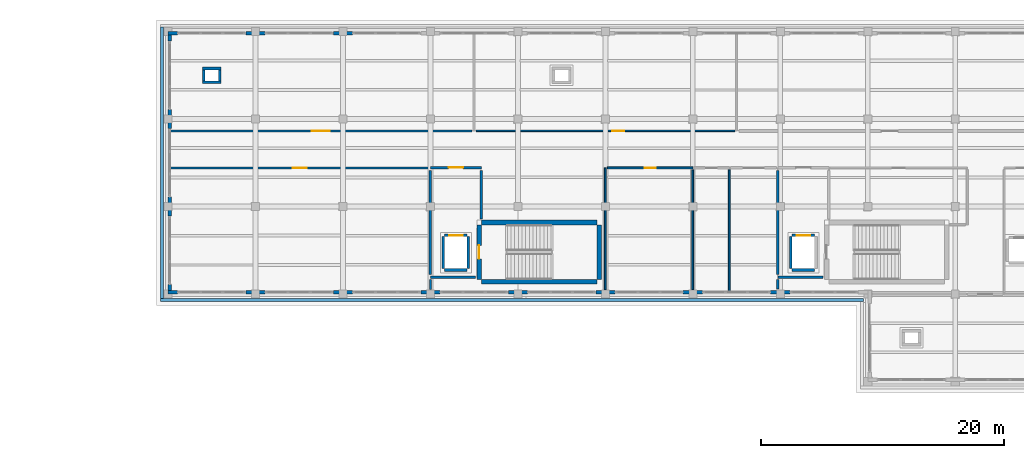
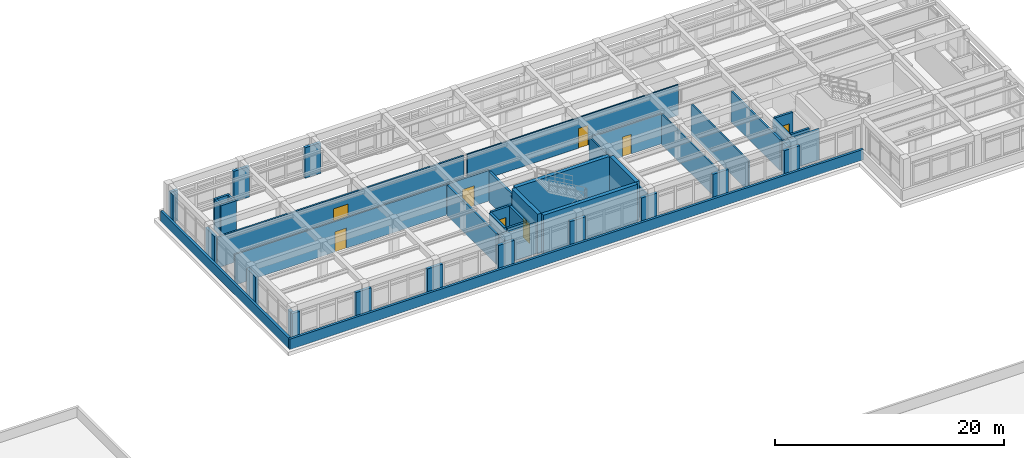
# One storey, part 47 of 55: 47 walls, 8 doors, 8 openings.
"""IFC4 building model written with IfcOpenShell, lengths in metres."""

from ifc_helpers import new_model, si_unit, direction, frame, frame_2d, origin, place, context, subcontext, project, spatial, rectangle, extrude, material, layer, layer_set, type_object, element, fill, save


model = new_model("IFC4")

# Units and contexts
model_context = context("Model", 3, precision=1e-05, world=origin(), true_north=direction((0.0, 1.0)))
body_context = subcontext(model_context, "Body", "Model", "MODEL_VIEW")
ifc_project = project(units=[si_unit("LENGTHUNIT", "METRE"), si_unit("AREAUNIT", "SQUARE_METRE"), si_unit("VOLUMEUNIT", "CUBIC_METRE"), si_unit("PLANEANGLEUNIT", "RADIAN"), si_unit("MASSUNIT", "GRAM", prefix="KILO")], contexts=[model_context])

# Site, building, storey
site_placement = place(None, origin())
site = spatial("IfcSite", under=ifc_project, at=site_placement, CompositionType="ELEMENT")
building_placement = place(site_placement, origin())
building = spatial("IfcBuilding", under=site, at=building_placement, Name="Solenvale Faculty of Natural Sciences", CompositionType="ELEMENT")
storey_placement = place(building_placement, frame((0.0, 0.0, 22.5)))
storey = spatial("IfcBuildingStorey", under=building, at=storey_placement, Name="L05", CompositionType="ELEMENT", Elevation=22.5)

# Walls
ifc_material_1 = material(Name="Precast concrete 40 MPa", Category="concrete")
ifc_layer_1 = layer(ifc_material_1, 0.284912109375)
ifc_layer_set_1 = layer_set([ifc_layer_1], Name="Precast concrete 40 MPa")
wall_type_1 = type_object("IfcWallType", Name="WL-EXT-PRC-285", PredefinedType="STANDARD", material=ifc_layer_set_1)
for number, where, z_axis, x_axis, name in (
    (1, (94.387939453125, 115.0576171875, 0.0), (0.0, 0.0, 1.0), (-1.0, 0.0, 0.0), "L05 Facade Closure Pier 3.B8-R"),
    (2, (87.18798828125, 115.0576171875, 0.0), (0.0, 0.0, 1.0), (-1.0, 0.0, 0.0), "L05 Facade Closure Pier 3.B9-R"),
):
    element("IfcWall", number, at=place(storey_placement, frame(where, z_axis=z_axis, x_axis=x_axis)), inside=storey, type_object=wall_type_1, Name=name, PredefinedType="STANDARD", context=body_context, shape_type="SweptSolid", body=[
        extrude(rectangle(XDim=1.575927734375, YDim=0.284912109375, at=frame_2d((0.7880859375, 0.0))), origin(), (0.0, 0.0, 1.0), 3.260009765625),
    ])
wall_1_placement = place(storey_placement, frame((79.988037109375, 115.0576171875, 0.0), z_axis=(0.0, 0.0, 1.0), x_axis=(-1.0, 0.0, 0.0)))
element("IfcWall", 3, at=wall_1_placement, inside=storey, type_object=wall_type_1, Name="L05 Facade Closure Pier 3.B10-R", PredefinedType="STANDARD", context=body_context, shape_type="SweptSolid", body=[
    extrude(rectangle(XDim=0.7880859375, YDim=0.284912109375, at=frame_2d((0.39404296875, 0.0))), origin(), (0.0, 0.0, 1.0), 3.260009765625),
])
wall_2_placement = place(storey_placement, frame((79.342529296875, 114.9150390625, 0.0), z_axis=(0.0, 0.0, 1.0), x_axis=(0.0, -1.0, 0.0)))
element("IfcWall", 4, at=wall_2_placement, inside=storey, type_object=wall_type_1, Name="L05 Facade Closure Pier 4.B1-L", PredefinedType="STANDARD", context=body_context, shape_type="SweptSolid", body=[
    extrude(rectangle(XDim=0.5029296875, YDim=0.284912109375, at=frame_2d((0.25146484375, 0.0))), origin(), (0.0, 0.0, 1.0), 3.260009765625),
])
wall_3_placement = place(storey_placement, frame((79.342529296875, 108.7880859375, 0.0), z_axis=(0.0, 0.0, 1.0), x_axis=(0.0, -1.0, 0.0)))
element("IfcWall", 5, at=wall_3_placement, inside=storey, type_object=wall_type_1, Name="L05 Facade Closure Pier 4.B1-R", PredefinedType="STANDARD", context=body_context, shape_type="SweptSolid", body=[
    extrude(rectangle(XDim=1.576171875, YDim=0.284912109375, at=frame_2d((0.7880859375, 0.0))), origin(), (0.0, 0.0, 1.0), 3.260009765625),
])
wall_4_placement = place(storey_placement, frame((79.342529296875, 101.587890625, 0.0), z_axis=(0.0, 0.0, 1.0), x_axis=(0.0, -1.0, 0.0)))
element("IfcWall", 6, at=wall_4_placement, inside=storey, type_object=wall_type_1, Name="L05 Facade Closure Pier 4.B2-R", PredefinedType="STANDARD", context=body_context, shape_type="SweptSolid", body=[
    extrude(rectangle(XDim=1.575927734375, YDim=0.284912109375, at=frame_2d((0.7880859375, 0.0))), origin(), (0.0, 0.0, 1.0), 3.260009765625),
])
wall_5_placement = place(storey_placement, frame((79.342529296875, 94.387939453125, 0.0), z_axis=(0.0, 0.0, 1.0), x_axis=(0.0, -1.0, 0.0)))
element("IfcWall", 7, at=wall_5_placement, inside=storey, type_object=wall_type_1, Name="L05 Facade Closure Pier 4.B3-R", PredefinedType="STANDARD", context=body_context, shape_type="SweptSolid", body=[
    extrude(rectangle(XDim=0.5029296875, YDim=0.284912109375, at=frame_2d((0.25146484375, 0.0))), origin(), (0.0, 0.0, 1.0), 3.260009765625),
])
wall_6_placement = place(storey_placement, frame((79.199951171875, 93.742431640625, 0.0), z_axis=(0.0, 0.0, 1.0), x_axis=(1.0, 0.0, 0.0)))
element("IfcWall", 8, at=wall_6_placement, inside=storey, type_object=wall_type_1, Name="L05 Facade Closure Pier 5.B1-L", PredefinedType="STANDARD", context=body_context, shape_type="SweptSolid", body=[
    extrude(rectangle(XDim=0.7880859375, YDim=0.284912109375, at=frame_2d((0.39404296875, 0.0))), origin(), (0.0, 0.0, 1.0), 3.260009765625),
])
for number, where, z_axis, x_axis, name in (
    (9, (85.612060546875, 93.742431640625, 0.0), (0.0, 0.0, 1.0), (1.0, 0.0, 0.0), "L05 Facade Closure Pier 5.B1-R"),
    (10, (92.81201171875, 93.742431640625, 0.0), (0.0, 0.0, 1.0), (1.0, 0.0, 0.0), "L05 Facade Closure Pier 5.B2-R"),
    (11, (100.011962890625, 93.742431640625, 0.0), (0.0, 0.0, 1.0), (1.0, 0.0, 0.0), "L05 Facade Closure Pier 5.B3-R"),
):
    element("IfcWall", number, at=place(storey_placement, frame(where, z_axis=z_axis, x_axis=x_axis)), inside=storey, type_object=wall_type_1, Name=name, PredefinedType="STANDARD", context=body_context, shape_type="SweptSolid", body=[
        extrude(rectangle(XDim=1.575927734375, YDim=0.284912109375, at=frame_2d((0.7880859375, 0.0))), origin(), (0.0, 0.0, 1.0), 3.260009765625),
    ])
wall_7_placement = place(storey_placement, frame((107.2119140625, 93.742431640625, 0.0), z_axis=(0.0, 0.0, 1.0), x_axis=(1.0, 0.0, 0.0)))
element("IfcWall", 12, at=wall_7_placement, inside=storey, type_object=wall_type_1, Name="L05 Facade Closure Pier 5.B4-R", PredefinedType="STANDARD", context=body_context, shape_type="SweptSolid", body=[
    extrude(rectangle(XDim=1.576171875, YDim=0.284912109375, at=frame_2d((0.7880859375, 0.0))), origin(), (0.0, 0.0, 1.0), 3.260009765625),
])
for number, where, z_axis, x_axis, name in (
    (13, (114.412109375, 93.742431640625, 0.0), (0.0, 0.0, 1.0), (1.0, 0.0, 0.0), "L05 Facade Closure Pier 5.B5-R"),
    (14, (121.612060546875, 93.742431640625, 0.0), (0.0, 0.0, 1.0), (1.0, 0.0, 0.0), "L05 Facade Closure Pier 5.B6-R"),
    (15, (128.81201171875, 93.742431640625, 0.0), (0.0, 0.0, 1.0), (1.0, 0.0, 0.0), "L05 Facade Closure Pier 5.B7-R"),
):
    element("IfcWall", number, at=place(storey_placement, frame(where, z_axis=z_axis, x_axis=x_axis)), inside=storey, type_object=wall_type_1, Name=name, PredefinedType="STANDARD", context=body_context, shape_type="SweptSolid", body=[
        extrude(rectangle(XDim=1.575927734375, YDim=0.284912109375, at=frame_2d((0.7880859375, 0.0))), origin(), (0.0, 0.0, 1.0), 3.260009765625),
    ])

# Wall, opening, door
ifc_material_2 = material(Name="Gypsum fire-rated shaftwall")
ifc_layer_2 = layer(ifc_material_2, 0.205078125)
ifc_layer_set_2 = layer_set([ifc_layer_2], Name="Gypsum fire-rated shaftwall")
wall_type_2 = type_object("IfcWallType", Name="WL-FFL-205", PredefinedType="PARTITIONING", material=ifc_layer_set_2)
wall_8_placement = place(storey_placement, frame((100.800048828125, 104.0, 0.0), z_axis=(0.0, 0.0, 1.0), x_axis=(1.0, 0.0, 0.0)))
wall_8 = element("IfcWall", 16, at=wall_8_placement, inside=storey, type_object=wall_type_2, Name="L05 Firefighting Lobby C4 Partition 1", PredefinedType="PARTITIONING", context=body_context, shape_type="SweptSolid", body=[
    extrude(rectangle(XDim=4.199951171875, YDim=0.205078125, at=frame_2d((2.10009765625, 0.0))), origin(), (0.0, 0.0, 1.0), 3.260009765625),
])
opening_1_placement = place(wall_8_placement, frame((1.5, 0.0, 0.0)))
opening_1 = element("IfcOpeningElement", 17, at=opening_1_placement, cuts=wall_8, Name="Opening D-L05-01", PredefinedType="OPENING", context=body_context, shape_type="SweptSolid", body=[
    extrude(rectangle(XDim=1.199951171875, YDim=2.14990234375, at=frame_2d((0.60009765625, 1.074951171875))), frame((0.0, 0.112548828125, 0.0), z_axis=(0.0, -1.0, 0.0), x_axis=(1.0, 0.0, 0.0)), (0.0, 0.0, 1.0), 0.22509765625),
])
ifc_material_3 = material(Name="Galvanised steel S355", Category="steel")
door_type_1 = type_object("IfcDoorType", Name="DR-FFL-1200x2150", OperationType="NOTDEFINED", PredefinedType="DOOR", material=ifc_material_3)
door_1_placement = place(opening_1_placement, origin())
door_1 = element("IfcDoor", 18, at=door_1_placement, inside=storey, type_object=door_type_1, Name="L05 Firefighting Lobby C4 Door", OperationType="SINGLE_SWING_LEFT", OverallHeight=2.14990234375, OverallWidth=1.199951171875, PredefinedType="DOOR", context=body_context, shape_type="SweptSolid", body=[
    extrude(rectangle(XDim=1.199951171875, YDim=2.14990234375, at=frame_2d((0.60009765625, 1.074951171875))), frame((0.0, 0.02490234375, 0.0), z_axis=(0.0, -1.0, 0.0), x_axis=(1.0, 0.0, 0.0)), (0.0, 0.0, 1.0), 0.050048828125),
])
fill(opening_1, door_1)

# Walls
wall_9_placement = place(storey_placement, frame((105.0, 103.782958984375, 0.0), z_axis=(0.0, 0.0, 1.0), x_axis=(0.0, -1.0, 0.0)))
element("IfcWall", 19, at=wall_9_placement, inside=storey, type_object=wall_type_2, Name="L05 Firefighting Lobby C4 Partition 2", PredefinedType="PARTITIONING", context=body_context, shape_type="SweptSolid", body=[
    extrude(rectangle(XDim=3.989013671875, YDim=0.205078125, at=frame_2d((1.99462890625, 0.0))), origin(), (0.0, 0.0, 1.0), 3.260009765625),
])
wall_10_placement = place(storey_placement, frame((104.5048828125, 95.0, 0.0), z_axis=(0.0, 0.0, 1.0), x_axis=(-1.0, 0.0, 0.0)))
element("IfcWall", 20, at=wall_10_placement, inside=storey, type_object=wall_type_2, Name="L05 Firefighting Lobby C4 Partition 20", PredefinedType="PARTITIONING", context=body_context, shape_type="SweptSolid", body=[
    extrude(rectangle(XDim=3.704833984375, YDim=0.205078125, at=frame_2d((1.8525390625, 0.0))), origin(), (0.0, 0.0, 1.0), 3.260009765625),
])
wall_11_placement = place(storey_placement, frame((100.800048828125, 95.217041015625, 0.0), z_axis=(0.0, 0.0, 1.0), x_axis=(0.0, 1.0, 0.0)))
element("IfcWall", 21, at=wall_11_placement, inside=storey, type_object=wall_type_2, Name="L05 Firefighting Lobby C4 Partition 21", PredefinedType="PARTITIONING", context=body_context, shape_type="SweptSolid", body=[
    extrude(rectangle(XDim=8.56591796875, YDim=0.205078125, at=frame_2d((4.282958984375, 0.0))), origin(), (0.0, 0.0, 1.0), 3.260009765625),
])
wall_12_placement = place(storey_placement, frame((133.10595703125, 95.0, 0.0), z_axis=(0.0, 0.0, 1.0), x_axis=(-1.0, 0.0, 0.0)))
element("IfcWall", 22, at=wall_12_placement, inside=storey, type_object=wall_type_2, Name="L05 Firefighting Lobby C5 Partition 20", PredefinedType="PARTITIONING", context=body_context, shape_type="SweptSolid", body=[
    extrude(rectangle(XDim=3.7060546875, YDim=0.205078125, at=frame_2d((1.85302734375, 0.0))), origin(), (0.0, 0.0, 1.0), 3.260009765625),
])
wall_13_placement = place(storey_placement, frame((129.39990234375, 95.217041015625, 0.0), z_axis=(0.0, 0.0, 1.0), x_axis=(0.0, 1.0, 0.0)))
element("IfcWall", 23, at=wall_13_placement, inside=storey, type_object=wall_type_2, Name="L05 Firefighting Lobby C5 Partition 21", PredefinedType="PARTITIONING", context=body_context, shape_type="SweptSolid", body=[
    extrude(rectangle(XDim=8.56591796875, YDim=0.205078125, at=frame_2d((4.282958984375, 0.0))), origin(), (0.0, 0.0, 1.0), 3.260009765625),
])

# Wall, opening, door
ifc_material_4 = material(Name="Gypsum fire-rated laboratory partition")
ifc_layer_3 = layer(ifc_material_4, 0.175048828125)
ifc_layer_set_3 = layer_set([ifc_layer_3], Name="Gypsum fire-rated laboratory partition")
wall_type_3 = type_object("IfcWallType", Name="WL-LAB-175", PredefinedType="PARTITIONING", material=ifc_layer_set_3)
wall_14_placement = place(storey_placement, frame((104.212890625, 107.02001953125, 0.0), z_axis=(0.0, 0.0, 1.0), x_axis=(-1.0, 0.0, 0.0)))
wall_14 = element("IfcWall", 24, at=wall_14_placement, inside=storey, type_object=wall_type_3, Name="L05 Plant Physiology Research Laboratory Partition 4", PredefinedType="PARTITIONING", context=body_context, shape_type="SweptSolid", body=[
    extrude(rectangle(XDim=24.829833984375, YDim=0.175048828125, at=frame_2d((12.4150390625, 0.0))), origin(), (0.0, 0.0, 1.0), 3.260009765625),
])
opening_2_placement = place(wall_14_placement, frame((11.675048828125, 0.0, 0.0)))
opening_2 = element("IfcOpeningElement", 25, at=opening_2_placement, cuts=wall_14, Name="Opening D-L05-06", PredefinedType="OPENING", context=body_context, shape_type="SweptSolid", body=[
    extrude(rectangle(XDim=1.47998046875, YDim=2.199951171875, at=frame_2d((0.739990234375, 1.10009765625))), frame((0.0, 0.097412109375, 0.0), z_axis=(0.0, -1.0, 0.0), x_axis=(1.0, 0.0, 0.0)), (0.0, 0.0, 1.0), 0.195068359375),
])
ifc_material_5 = material(Name="Oak acoustic timber leaf", Category="wood")
door_type_2 = type_object("IfcDoorType", Name="DR-LAB-1480x2200", OperationType="NOTDEFINED", PredefinedType="DOOR", material=ifc_material_5)
door_2_placement = place(opening_2_placement, origin())
door_2 = element("IfcDoor", 26, at=door_2_placement, inside=storey, type_object=door_type_2, Name="L05 Plant Physiology Research Laboratory Door", OperationType="SINGLE_SWING_RIGHT", OverallHeight=2.199951171875, OverallWidth=1.47998046875, PredefinedType="DOOR", context=body_context, shape_type="SweptSolid", body=[
    extrude(rectangle(XDim=1.47998046875, YDim=2.199951171875, at=frame_2d((0.739990234375, 1.10009765625))), frame((0.0, 0.02490234375, 0.0), z_axis=(0.0, -1.0, 0.0), x_axis=(1.0, 0.0, 0.0)), (0.0, 0.0, 1.0), 0.050048828125),
])
fill(opening_2, door_2)

ifc_material_6 = material(Name="Acoustic stud gypsum partition")
ifc_layer_4 = layer(ifc_material_6, 0.132080078125)
ifc_layer_set_4 = layer_set([ifc_layer_4], Name="Acoustic stud gypsum partition")
wall_type_4 = type_object("IfcWallType", Name="WL-OFF-132", PredefinedType="PARTITIONING", material=ifc_layer_set_4)
wall_15_placement = place(storey_placement, frame((125.85595703125, 107.02001953125, 0.0), z_axis=(0.0, 0.0, 1.0), x_axis=(-1.0, 0.0, 0.0)))
wall_15 = element("IfcWall", 27, at=wall_15_placement, inside=storey, type_object=wall_type_4, Name="L05 Faculty Staff Office Partition 4", PredefinedType="PARTITIONING", context=body_context, shape_type="SweptSolid", body=[
    extrude(rectangle(XDim=21.2900390625, YDim=0.132080078125, at=frame_2d((10.64501953125, 0.0))), origin(), (0.0, 0.0, 1.0), 3.260009765625),
])
opening_3_placement = place(wall_15_placement, frame((9.10498046875, 0.0, 0.0)))
opening_3 = element("IfcOpeningElement", 28, at=opening_3_placement, cuts=wall_15, Name="Opening D-L05-07", PredefinedType="OPENING", context=body_context, shape_type="SweptSolid", body=[
    extrude(rectangle(XDim=0.97998046875, YDim=2.10009765625, at=frame_2d((0.489990234375, 1.050048828125))), frame((0.0, 0.075927734375, 0.0), z_axis=(0.0, -1.0, 0.0), x_axis=(1.0, 0.0, 0.0)), (0.0, 0.0, 1.0), 0.152099609375),
])
door_type_3 = type_object("IfcDoorType", Name="DR-OFF-0980x2100", OperationType="NOTDEFINED", PredefinedType="DOOR", material=ifc_material_5)
door_3_placement = place(opening_3_placement, origin())
door_3 = element("IfcDoor", 29, at=door_3_placement, inside=storey, type_object=door_type_3, Name="L05 Faculty Staff Office Door", OperationType="SINGLE_SWING_LEFT", OverallHeight=2.10009765625, OverallWidth=0.97998046875, PredefinedType="DOOR", context=body_context, shape_type="SweptSolid", body=[
    extrude(rectangle(XDim=0.97998046875, YDim=2.10009765625, at=frame_2d((0.489990234375, 1.050048828125))), frame((0.0, 0.02490234375, 0.0), z_axis=(0.0, -1.0, 0.0), x_axis=(1.0, 0.0, 0.0)), (0.0, 0.0, 1.0), 0.050048828125),
])
fill(opening_3, door_3)

# Walls
ifc_material_7 = material(Name="Architectural bronze concrete 40 MPa", Category="concrete")
ifc_layer_5 = layer(ifc_material_7, 0.239990234375)
ifc_layer_set_5 = layer_set([ifc_layer_5], Name="Architectural bronze concrete 40 MPa")
wall_type_5 = type_object("IfcWallType", Name="WL-PAR-BRZ-240", PredefinedType="PARAPET", material=ifc_layer_set_5)
wall_16_placement = place(storey_placement, frame((78.719970703125, 93.239990234375, 0.0), z_axis=(0.0, 0.0, 1.0), x_axis=(0.0, 1.0, 0.0)))
element("IfcWall", 30, at=wall_16_placement, inside=storey, type_object=wall_type_5, Name="L05 Tower Horizontal Concrete Band 3", PredefinedType="PARAPET", context=body_context, shape_type="SweptSolid", body=[
    extrude(rectangle(XDim=22.320068359375, YDim=0.239990234375, at=frame_2d((11.16015625, 0.0))), origin(), (0.0, 0.0, 1.0), 1.1201171875),
])
wall_17_placement = place(storey_placement, frame((136.43994140625, 93.1201171875, 0.0), z_axis=(0.0, 0.0, 1.0), x_axis=(-1.0, 0.0, 0.0)))
element("IfcWall", 31, at=wall_17_placement, inside=storey, type_object=wall_type_5, Name="L05 Tower Horizontal Concrete Band 9", PredefinedType="PARAPET", context=body_context, shape_type="SweptSolid", body=[
    extrude(rectangle(XDim=57.83984375, YDim=0.239990234375, at=frame_2d((28.919921875, 0.0))), origin(), (0.0, 0.0, 1.0), 1.1201171875),
])

# Wall, opening, door
ifc_material_8 = material(Name="Acoustic double-stud gypsum partition")
ifc_layer_6 = layer(ifc_material_8, 0.1650390625)
ifc_layer_set_6 = layer_set([ifc_layer_6], Name="Acoustic double-stud gypsum partition")
wall_type_6 = type_object("IfcWallType", Name="WL-SEM-165", PredefinedType="PARTITIONING", material=ifc_layer_set_6)
wall_18_placement = place(storey_placement, frame((79.383056640625, 103.97998046875, 0.0), z_axis=(0.0, 0.0, 1.0), x_axis=(1.0, 0.0, 0.0)))
wall_18 = element("IfcWall", 32, at=wall_18_placement, inside=storey, type_object=wall_type_6, Name="L05 Seminar Room Partition 2", PredefinedType="PARTITIONING", context=body_context, shape_type="SweptSolid", body=[
    extrude(rectangle(XDim=21.322998046875, YDim=0.1650390625, at=frame_2d((10.66162109375, 0.0))), origin(), (0.0, 0.0, 1.0), 3.260009765625),
])
opening_4_placement = place(wall_18_placement, frame((10.0869140625, 0.0, 0.0)))
opening_4 = element("IfcOpeningElement", 33, at=opening_4_placement, cuts=wall_18, Name="Opening D-L05-09", PredefinedType="OPENING", context=body_context, shape_type="SweptSolid", body=[
    extrude(rectangle(XDim=1.14990234375, YDim=2.14990234375, at=frame_2d((0.574951171875, 1.074951171875))), frame((0.0, 0.092529296875, 0.0), z_axis=(0.0, -1.0, 0.0), x_axis=(1.0, 0.0, 0.0)), (0.0, 0.0, 1.0), 0.18505859375),
])
door_type_4 = type_object("IfcDoorType", Name="DR-SEM-1150x2150", OperationType="NOTDEFINED", PredefinedType="DOOR", material=ifc_material_5)
door_4_placement = place(opening_4_placement, origin())
door_4 = element("IfcDoor", 34, at=door_4_placement, inside=storey, type_object=door_type_4, Name="L05 Seminar Room Door", OperationType="SINGLE_SWING_LEFT", OverallHeight=2.14990234375, OverallWidth=1.14990234375, PredefinedType="DOOR", context=body_context, shape_type="SweptSolid", body=[
    extrude(rectangle(XDim=1.14990234375, YDim=2.14990234375, at=frame_2d((0.574951171875, 1.074951171875))), frame((0.0, 0.02490234375, 0.0), z_axis=(0.0, -1.0, 0.0), x_axis=(1.0, 0.0, 0.0)), (0.0, 0.0, 1.0), 0.050048828125),
])
fill(opening_4, door_4)

# Walls
wall_19_placement = place(storey_placement, frame((100.800048828125, 94.802978515625, 0.0), z_axis=(0.0, 0.0, 1.0), x_axis=(0.0, -1.0, 0.0)))
element("IfcWall", 35, at=wall_19_placement, inside=storey, type_object=wall_type_6, Name="L05 Seminar Room Partition 20", PredefinedType="PARTITIONING", context=body_context, shape_type="SweptSolid", body=[
    extrude(rectangle(XDim=0.822998046875, YDim=0.1650390625, at=frame_2d((0.41162109375, 0.0))), origin(), (0.0, 0.0, 1.0), 3.260009765625),
])
ifc_material_9 = material(Name="Concrete 40 MPa", Category="concrete")
ifc_layer_7 = layer(ifc_material_9, 0.219970703125)
ifc_layer_set_7 = layer_set([ifc_layer_7], Name="Concrete 40 MPa")
wall_type_7 = type_object("IfcWallType", Name="WL-SHF-220", PredefinedType="STANDARD", material=ifc_layer_set_7)
wall_20_placement = place(storey_placement, frame((101.97998046875, 95.570068359375, 0.0), z_axis=(0.0, 0.0, 1.0), x_axis=(1.0, 0.0, 0.0)))
element("IfcWall", 36, at=wall_20_placement, inside=storey, type_object=wall_type_7, Name="Elevator LF-01 L05 Shaft Wall S", PredefinedType="STANDARD", context=body_context, shape_type="SweptSolid", body=[
    extrude(rectangle(XDim=1.840087890625, YDim=0.219970703125, at=frame_2d((0.919921875, 0.0))), origin(), (0.0, 0.0, 1.0), 3.260009765625),
])

# Wall, opening, door
wall_21_placement = place(storey_placement, frame((101.97998046875, 98.429931640625, 0.0), z_axis=(0.0, 0.0, 1.0), x_axis=(1.0, 0.0, 0.0)))
wall_21 = element("IfcWall", 37, at=wall_21_placement, inside=storey, type_object=wall_type_7, Name="Elevator LF-01 L05 Shaft Wall N", PredefinedType="STANDARD", context=body_context, shape_type="SweptSolid", body=[
    extrude(rectangle(XDim=1.840087890625, YDim=0.219970703125, at=frame_2d((0.919921875, 0.0))), origin(), (0.0, 0.0, 1.0), 3.260009765625),
])
opening_5_placement = place(wall_21_placement, frame((0.3701171875, 0.0, 0.0)))
opening_5 = element("IfcOpeningElement", 38, at=opening_5_placement, cuts=wall_21, Name="Opening LD-LF-01-L05", PredefinedType="OPENING", context=body_context, shape_type="SweptSolid", body=[
    extrude(rectangle(XDim=1.10009765625, YDim=2.14990234375, at=frame_2d((0.550048828125, 1.074951171875))), frame((0.0, 0.119873046875, 0.0), z_axis=(0.0, -1.0, 0.0), x_axis=(1.0, 0.0, 0.0)), (0.0, 0.0, 1.0), 0.239990234375),
])
ifc_material_10 = material(Name="Stainless steel Grade 304", Category="steel")
door_type_5 = type_object("IfcDoorType", Name="DR-LIFT-1100x2150", OperationType="NOTDEFINED", PredefinedType="DOOR", material=ifc_material_10)
door_5_placement = place(opening_5_placement, origin())
door_5 = element("IfcDoor", 39, at=door_5_placement, inside=storey, type_object=door_type_5, Name="Elevator LF-01 L05 Sliding Landing Door", OperationType="SLIDING_TO_RIGHT", OverallHeight=2.14990234375, OverallWidth=1.10009765625, PredefinedType="DOOR", context=body_context, shape_type="SweptSolid", body=[
    extrude(rectangle(XDim=1.10009765625, YDim=2.14990234375, at=frame_2d((0.550048828125, 1.074951171875))), frame((0.0, 0.02490234375, 0.0), z_axis=(0.0, -1.0, 0.0), x_axis=(1.0, 0.0, 0.0)), (0.0, 0.0, 1.0), 0.050048828125),
])
fill(opening_5, door_5)

# Walls
for number, where, z_axis, x_axis, name in (
    (40, (101.8701171875, 95.679931640625, 0.0), (0.0, 0.0, 1.0), (0.0, 1.0, 0.0), "Elevator LF-01 L05 Shaft Wall W"),
    (41, (103.929931640625, 95.679931640625, 0.0), (0.0, 0.0, 1.0), (0.0, 1.0, 0.0), "Elevator LF-01 L05 Shaft Wall E"),
):
    element("IfcWall", number, at=place(storey_placement, frame(where, z_axis=z_axis, x_axis=x_axis)), inside=storey, type_object=wall_type_7, Name=name, PredefinedType="STANDARD", context=body_context, shape_type="SweptSolid", body=[
        extrude(rectangle(XDim=2.64013671875, YDim=0.219970703125, at=frame_2d((1.320068359375, 0.0))), origin(), (0.0, 0.0, 1.0), 3.260009765625),
    ])
wall_22_placement = place(storey_placement, frame((130.580078125, 95.570068359375, 0.0), z_axis=(0.0, 0.0, 1.0), x_axis=(1.0, 0.0, 0.0)))
element("IfcWall", 42, at=wall_22_placement, inside=storey, type_object=wall_type_7, Name="Elevator LF-02 L05 Shaft Wall S", PredefinedType="STANDARD", context=body_context, shape_type="SweptSolid", body=[
    extrude(rectangle(XDim=1.83984375, YDim=0.219970703125, at=frame_2d((0.919921875, 0.0))), origin(), (0.0, 0.0, 1.0), 3.260009765625),
])

# Wall, opening, door
wall_23_placement = place(storey_placement, frame((130.580078125, 98.429931640625, 0.0), z_axis=(0.0, 0.0, 1.0), x_axis=(1.0, 0.0, 0.0)))
wall_23 = element("IfcWall", 43, at=wall_23_placement, inside=storey, type_object=wall_type_7, Name="Elevator LF-02 L05 Shaft Wall N", PredefinedType="STANDARD", context=body_context, shape_type="SweptSolid", body=[
    extrude(rectangle(XDim=1.83984375, YDim=0.219970703125, at=frame_2d((0.919921875, 0.0))), origin(), (0.0, 0.0, 1.0), 3.260009765625),
])
opening_6_placement = place(wall_23_placement, frame((0.3701171875, 0.0, 0.0)))
opening_6 = element("IfcOpeningElement", 44, at=opening_6_placement, cuts=wall_23, Name="Opening LD-LF-02-L05", PredefinedType="OPENING", context=body_context, shape_type="SweptSolid", body=[
    extrude(rectangle(XDim=1.10009765625, YDim=2.14990234375, at=frame_2d((0.550048828125, 1.074951171875))), frame((0.0, 0.119873046875, 0.0), z_axis=(0.0, -1.0, 0.0), x_axis=(1.0, 0.0, 0.0)), (0.0, 0.0, 1.0), 0.239990234375),
])
door_6_placement = place(opening_6_placement, origin())
door_6 = element("IfcDoor", 45, at=door_6_placement, inside=storey, type_object=door_type_5, Name="Elevator LF-02 L05 Sliding Landing Door", OperationType="SLIDING_TO_RIGHT", OverallHeight=2.14990234375, OverallWidth=1.10009765625, PredefinedType="DOOR", context=body_context, shape_type="SweptSolid", body=[
    extrude(rectangle(XDim=1.10009765625, YDim=2.14990234375, at=frame_2d((0.550048828125, 1.074951171875))), frame((0.0, 0.02490234375, 0.0), z_axis=(0.0, -1.0, 0.0), x_axis=(1.0, 0.0, 0.0)), (0.0, 0.0, 1.0), 0.050048828125),
])
fill(opening_6, door_6)

# Walls
wall_24_placement = place(storey_placement, frame((130.469970703125, 95.679931640625, 0.0), z_axis=(0.0, 0.0, 1.0), x_axis=(0.0, 1.0, 0.0)))
element("IfcWall", 46, at=wall_24_placement, inside=storey, type_object=wall_type_7, Name="Elevator LF-02 L05 Shaft Wall W", PredefinedType="STANDARD", context=body_context, shape_type="SweptSolid", body=[
    extrude(rectangle(XDim=2.64013671875, YDim=0.219970703125, at=frame_2d((1.320068359375, 0.0))), origin(), (0.0, 0.0, 1.0), 3.260009765625),
])
for number, where, z_axis, x_axis, name in (
    (47, (82.030029296875, 111.0400390625, 0.0), (0.0, 0.0, 1.0), (1.0, 0.0, 0.0), "L05 Service Riser Shaft 3 Wall S"),
    (48, (82.030029296875, 112.159912109375, 0.0), (0.0, 0.0, 1.0), (1.0, 0.0, 0.0), "L05 Service Riser Shaft 3 Wall N"),
):
    element("IfcWall", number, at=place(storey_placement, frame(where, z_axis=z_axis, x_axis=x_axis)), inside=storey, type_object=wall_type_7, Name=name, PredefinedType="STANDARD", context=body_context, shape_type="SweptSolid", body=[
        extrude(rectangle(XDim=1.5400390625, YDim=0.219970703125, at=frame_2d((0.77001953125, 0.0))), origin(), (0.0, 0.0, 1.0), 3.260009765625),
    ])
for number, where, z_axis, x_axis, name in (
    (49, (82.139892578125, 111.14990234375, 0.0), (0.0, 0.0, 1.0), (0.0, 1.0, 0.0), "L05 Service Riser Shaft 3 Wall W"),
    (50, (83.4599609375, 111.14990234375, 0.0), (0.0, 0.0, 1.0), (0.0, 1.0, 0.0), "L05 Service Riser Shaft 3 Wall E"),
):
    element("IfcWall", number, at=place(storey_placement, frame(where, z_axis=z_axis, x_axis=x_axis)), inside=storey, type_object=wall_type_7, Name=name, PredefinedType="STANDARD", context=body_context, shape_type="SweptSolid", body=[
        extrude(rectangle(XDim=0.900146484375, YDim=0.219970703125, at=frame_2d((0.4501953125, 0.0))), origin(), (0.0, 0.0, 1.0), 3.260009765625),
    ])
ifc_material_11 = material(Name="Concrete 50 MPa", Category="concrete")
ifc_layer_8 = layer(ifc_material_11, 0.3798828125)
ifc_layer_set_8 = layer_set([ifc_layer_8], Name="Concrete 50 MPa")
wall_type_8 = type_object("IfcWallType", Name="WL-SHR-380", PredefinedType="SHEAR", material=ifc_layer_set_8)
for number, where, z_axis, x_axis, name in (
    (51, (105.0, 94.610107421875, 0.0), (0.0, 0.0, 1.0), (1.0, 0.0, 0.0), "Core C4 L05 Shear Wall S"),
    (52, (105.0, 99.489990234375, 0.0), (0.0, 0.0, 1.0), (1.0, 0.0, 0.0), "Core C4 L05 Shear Wall N"),
):
    element("IfcWall", number, at=place(storey_placement, frame(where, z_axis=z_axis, x_axis=x_axis)), inside=storey, type_object=wall_type_8, Name=name, PredefinedType="SHEAR", context=body_context, shape_type="SweptSolid", body=[
        extrude(rectangle(XDim=9.5, YDim=0.3798828125, at=frame_2d((4.75, 0.0))), origin(), (0.0, 0.0, 1.0), 4.219970703125),
    ])

# Wall, opening, door
wall_25_placement = place(storey_placement, frame((104.81005859375, 94.800048828125, 0.0), z_axis=(0.0, 0.0, 1.0), x_axis=(0.0, 1.0, 0.0)))
wall_25 = element("IfcWall", 53, at=wall_25_placement, inside=storey, type_object=wall_type_8, Name="Core C4 L05 Shear Wall W", PredefinedType="SHEAR", context=body_context, shape_type="SweptSolid", body=[
    extrude(rectangle(XDim=4.5, YDim=0.3798828125, at=frame_2d((2.25, 0.0))), origin(), (0.0, 0.0, 1.0), 4.219970703125),
])
opening_7_placement = place(wall_25_placement, frame((1.699951171875, 0.0, 0.0)))
opening_7 = element("IfcOpeningElement", 54, at=opening_7_placement, cuts=wall_25, Name="Opening DS-C4-L05", PredefinedType="OPENING", context=body_context, shape_type="SweptSolid", body=[
    extrude(rectangle(XDim=1.10009765625, YDim=2.14990234375, at=frame_2d((0.550048828125, 1.074951171875))), frame((0.0, 0.199951171875, 0.0), z_axis=(0.0, -1.0, 0.0), x_axis=(1.0, 0.0, 0.0)), (0.0, 0.0, 1.0), 0.39990234375),
])
door_type_6 = type_object("IfcDoorType", Name="DR-STAIR-1100x2150", OperationType="NOTDEFINED", PredefinedType="DOOR", material=ifc_material_3)
door_7_placement = place(opening_7_placement, origin())
door_7 = element("IfcDoor", 55, at=door_7_placement, inside=storey, type_object=door_type_6, Name="L05 Stair ST-04 Fire Door", OperationType="SINGLE_SWING_RIGHT", OverallHeight=2.14990234375, OverallWidth=1.10009765625, PredefinedType="DOOR", context=body_context, shape_type="SweptSolid", body=[
    extrude(rectangle(XDim=1.10009765625, YDim=2.14990234375, at=frame_2d((0.550048828125, 1.074951171875))), frame((0.0, 0.02490234375, 0.0), z_axis=(0.0, -1.0, 0.0), x_axis=(1.0, 0.0, 0.0)), (0.0, 0.0, 1.0), 0.050048828125),
])
fill(opening_7, door_7)

# Walls
wall_26_placement = place(storey_placement, frame((114.68994140625, 94.800048828125, 0.0), z_axis=(0.0, 0.0, 1.0), x_axis=(0.0, 1.0, 0.0)))
element("IfcWall", 56, at=wall_26_placement, inside=storey, type_object=wall_type_8, Name="Core C4 L05 Shear Wall E", PredefinedType="SHEAR", context=body_context, shape_type="SweptSolid", body=[
    extrude(rectangle(XDim=4.5, YDim=0.3798828125, at=frame_2d((2.25, 0.0))), origin(), (0.0, 0.0, 1.0), 4.219970703125),
])
ifc_material_12 = material(Name="Concrete masonry 20 MPa", Category="masonry")
ifc_layer_9 = layer(ifc_material_12, 0.195068359375)
ifc_layer_set_9 = layer_set([ifc_layer_9], Name="Concrete masonry 20 MPa")
wall_type_9 = type_object("IfcWallType", Name="WL-STR-195", PredefinedType="PARTITIONING", material=ifc_layer_set_9)
wall_27_placement = place(storey_placement, frame((129.39990234375, 94.7880859375, 0.0), z_axis=(0.0, 0.0, 1.0), x_axis=(0.0, -1.0, 0.0)))
element("IfcWall", 57, at=wall_27_placement, inside=storey, type_object=wall_type_9, Name="L05 Specimen Cold Store Partition 20", PredefinedType="PARTITIONING", context=body_context, shape_type="SweptSolid", body=[
    extrude(rectangle(XDim=0.79296875, YDim=0.195068359375, at=frame_2d((0.396484375, 0.0))), origin(), (0.0, 0.0, 1.0), 3.260009765625),
])
ifc_material_13 = material(Name="Moisture-resistant tile partition")
ifc_layer_10 = layer(ifc_material_13, 0.14990234375)
ifc_layer_set_10 = layer_set([ifc_layer_10], Name="Moisture-resistant tile partition")
wall_type_10 = type_object("IfcWallType", Name="WL-WC-150", PredefinedType="PARTITIONING", material=ifc_layer_set_10)
wall_28_placement = place(storey_placement, frame((115.199951171875, 93.971923828125, 0.0), z_axis=(0.0, 0.0, 1.0), x_axis=(0.0, 1.0, 0.0)))
element("IfcWall", 58, at=wall_28_placement, inside=storey, type_object=wall_type_10, Name="L05 Public Washroom Partition 1", PredefinedType="PARTITIONING", context=body_context, shape_type="SweptSolid", body=[
    extrude(rectangle(XDim=10.008056640625, YDim=0.14990234375, at=frame_2d((5.00390625, 0.0))), origin(), (0.0, 0.0, 1.0), 3.260009765625),
])

# Wall, opening, door
wall_29_placement = place(storey_placement, frame((115.362060546875, 103.97998046875, 0.0), z_axis=(0.0, 0.0, 1.0), x_axis=(1.0, 0.0, 0.0)))
wall_29 = element("IfcWall", 59, at=wall_29_placement, inside=storey, type_object=wall_type_10, Name="L05 Public Washroom Partition 2", PredefinedType="PARTITIONING", context=body_context, shape_type="SweptSolid", body=[
    extrude(rectangle(XDim=7.037841796875, YDim=0.14990234375, at=frame_2d((3.51904296875, 0.0))), origin(), (0.0, 0.0, 1.0), 3.260009765625),
])
opening_8_placement = place(wall_29_placement, frame((3.069091796875, 0.0, 0.0)))
opening_8 = element("IfcOpeningElement", 60, at=opening_8_placement, cuts=wall_29, Name="Opening D-L05-10", PredefinedType="OPENING", context=body_context, shape_type="SweptSolid", body=[
    extrude(rectangle(XDim=0.89990234375, YDim=2.10009765625, at=frame_2d((0.449951171875, 1.050048828125))), frame((0.0, 0.0849609375, 0.0), z_axis=(0.0, -1.0, 0.0), x_axis=(1.0, 0.0, 0.0)), (0.0, 0.0, 1.0), 0.169921875),
])
door_type_7 = type_object("IfcDoorType", Name="DR-WC-0900x2100", OperationType="NOTDEFINED", PredefinedType="DOOR", material=ifc_material_5)
door_8_placement = place(opening_8_placement, origin())
door_8 = element("IfcDoor", 61, at=door_8_placement, inside=storey, type_object=door_type_7, Name="L05 Public Washroom Door", OperationType="SINGLE_SWING_RIGHT", OverallHeight=2.10009765625, OverallWidth=0.89990234375, PredefinedType="DOOR", context=body_context, shape_type="SweptSolid", body=[
    extrude(rectangle(XDim=0.89990234375, YDim=2.10009765625, at=frame_2d((0.449951171875, 1.050048828125))), frame((0.0, 0.02490234375, 0.0), z_axis=(0.0, -1.0, 0.0), x_axis=(1.0, 0.0, 0.0)), (0.0, 0.0, 1.0), 0.050048828125),
])
fill(opening_8, door_8)

# Walls
wall_30_placement = place(storey_placement, frame((122.39990234375, 103.818115234375, 0.0), z_axis=(0.0, 0.0, 1.0), x_axis=(0.0, -1.0, 0.0)))
element("IfcWall", 62, at=wall_30_placement, inside=storey, type_object=wall_type_10, Name="L05 Public Washroom Partition 3", PredefinedType="PARTITIONING", context=body_context, shape_type="SweptSolid", body=[
    extrude(rectangle(XDim=9.84619140625, YDim=0.14990234375, at=frame_2d((4.923095703125, 0.0))), origin(), (0.0, 0.0, 1.0), 3.260009765625),
])
wall_31_placement = place(storey_placement, frame((125.39990234375, 103.818115234375, 0.0), z_axis=(0.0, 0.0, 1.0), x_axis=(0.0, -1.0, 0.0)))
element("IfcWall", 63, at=wall_31_placement, inside=storey, type_object=wall_type_10, Name="L05 Accessible Washroom Partition 3", PredefinedType="PARTITIONING", context=body_context, shape_type="SweptSolid", body=[
    extrude(rectangle(XDim=10.03515625, YDim=0.14990234375, at=frame_2d((5.017578125, 0.0))), origin(), (0.0, 0.0, 1.0), 3.260009765625),
])

save(model, "model.ifc")
